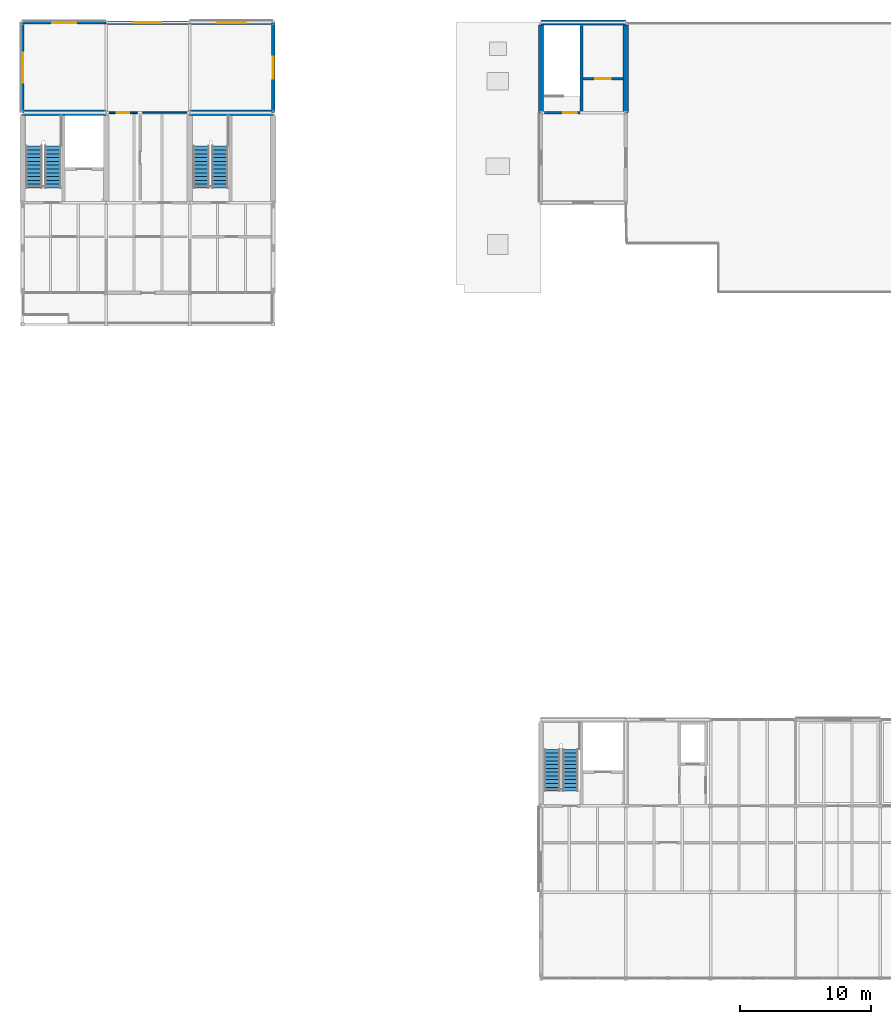
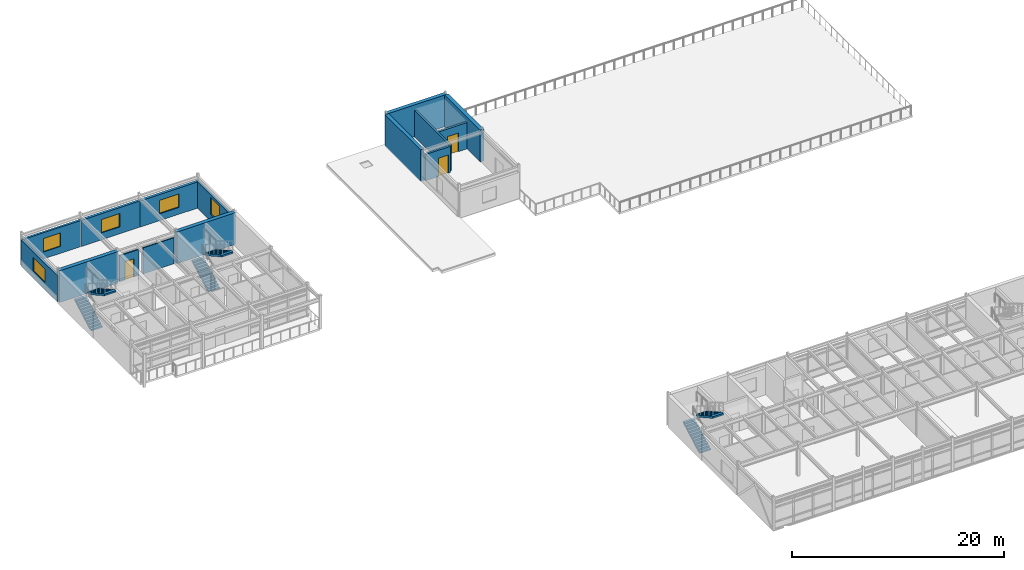
# One storey, part 21 of 26: 15 walls, 6 stair flights, 5 windows, 3 doors, 8 openings, 3 elements without a shape of their own.
"""IFC4 building model written with IfcOpenShell, lengths in metres."""

from ifc_helpers import new_model, si_unit, direction, frame, frame_2d, origin, place, context, subcontext, project, spatial, polyline, rectangle, outline, extrude, material, layer, layer_set, type_object, element, fill, aggregate, save


model = new_model("IFC4")

# Units and contexts
model_context = context("Model", 3, precision=1e-05, world=origin(), true_north=direction((0.0, 1.0)))
body_context = subcontext(model_context, "Body", "Model", "MODEL_VIEW")
ifc_project = project(units=[si_unit("LENGTHUNIT", "METRE"), si_unit("AREAUNIT", "SQUARE_METRE"), si_unit("VOLUMEUNIT", "CUBIC_METRE"), si_unit("PLANEANGLEUNIT", "RADIAN"), si_unit("MASSUNIT", "GRAM", prefix="KILO")], contexts=[model_context])

# Site, building, storey
site_placement = place(None, origin())
site = spatial("IfcSite", under=ifc_project, at=site_placement, CompositionType="ELEMENT")
building_placement = place(site_placement, origin())
building = spatial("IfcBuilding", under=site, at=building_placement, Name="Trelmorton Wharf Fire Station", CompositionType="ELEMENT")
storey_placement = place(building_placement, frame((0.0, 0.0, 17.39990234375)))
storey = spatial("IfcBuildingStorey", under=building, at=storey_placement, Name="L04", CompositionType="ELEMENT", Elevation=17.39990234375)

# Wall, opening, window
ifc_material_1 = material(Name="Precast concrete 45 MPa", Category="concrete")
ifc_layer_1 = layer(ifc_material_1, 0.22998046875)
ifc_layer_set_1 = layer_set([ifc_layer_1], Name="Precast concrete 45 MPa")
wall_type_1 = type_object("IfcWallType", Name="EW_PREC_230", PredefinedType="SOLIDWALL", material=ifc_layer_set_1)
wall_1_placement = place(storey_placement, frame((70.804931640625, 81.0, 0.0), z_axis=(0.0, 0.0, 1.0), x_axis=(1.0, 0.0, 0.0)))
wall_1 = element("IfcWall", 1, at=wall_1_placement, inside=storey, type_object=wall_type_1, Name="EW-V2-L04-0186", PredefinedType="SOLIDWALL", context=body_context, shape_type="SweptSolid", body=[
    extrude(rectangle(XDim=6.39013671875, YDim=0.22998046875, at=frame_2d((3.195068359375, 0.0))), origin(), (0.0, 0.0, 1.0), 3.02001953125),
])
opening_1_placement = place(wall_1_placement, frame((2.27001953125, 0.0, 0.800048828125)))
opening_1 = element("IfcOpeningElement", 2, at=opening_1_placement, cuts=wall_1, Name="Opening W41", PredefinedType="OPENING", context=body_context, shape_type="SweptSolid", body=[
    extrude(rectangle(XDim=1.85009765625, YDim=1.550048828125, at=frame_2d((0.925048828125, 0.77490234375))), frame((0.0, 0.125, 0.0), z_axis=(0.0, -1.0, 0.0), x_axis=(1.0, 0.0, 0.0)), (0.0, 0.0, 1.0), 0.25),
])
ifc_material_2 = material(Name="Tempered low-E double glazing", Category="glass")
window_type_1 = type_object("IfcWindowType", Name="WIN_W41", PartitioningType="DOUBLE_PANEL_VERTICAL", PredefinedType="WINDOW", material=ifc_material_2)
window_1_placement = place(opening_1_placement, origin())
window_1 = element("IfcWindow", 3, at=window_1_placement, inside=storey, type_object=window_type_1, Name="WN-V2-L04-0103", OverallHeight=1.550048828125, OverallWidth=1.85009765625, PartitioningType="DOUBLE_PANEL_VERTICAL", PredefinedType="WINDOW", context=body_context, shape_type="SweptSolid", body=[
    extrude(rectangle(XDim=1.85009765625, YDim=1.550048828125, at=frame_2d((0.925048828125, 0.77490234375))), frame((0.0, 0.030029296875, 0.0), z_axis=(0.0, -1.0, 0.0), x_axis=(1.0, 0.0, 0.0)), (0.0, 0.0, 1.0), 0.06005859375),
])
fill(opening_1, window_1)

wall_2_placement = place(storey_placement, frame((70.800048828125, 74.10498046875, 0.0), z_axis=(0.0, 0.0, 1.0), x_axis=(0.0, 1.0, 0.0)))
wall_2 = element("IfcWall", 4, at=wall_2_placement, inside=storey, type_object=wall_type_1, Name="EW-V2-L04-0192", PredefinedType="SOLIDWALL", context=body_context, shape_type="SweptSolid", body=[
    extrude(rectangle(XDim=6.89013671875, YDim=0.22998046875, at=frame_2d((3.445068359375, 0.0))), origin(), (0.0, 0.0, 1.0), 3.02001953125),
])
opening_2_placement = place(wall_2_placement, frame((2.294921875, 0.0, 0.800048828125)))
opening_2 = element("IfcOpeningElement", 5, at=opening_2_placement, cuts=wall_2, Name="Opening W44", PredefinedType="OPENING", context=body_context, shape_type="SweptSolid", body=[
    extrude(rectangle(XDim=2.300048828125, YDim=1.550048828125, at=frame_2d((1.14990234375, 0.77490234375))), frame((0.0, 0.125, 0.0), z_axis=(0.0, -1.0, 0.0), x_axis=(1.0, 0.0, 0.0)), (0.0, 0.0, 1.0), 0.25),
])
window_type_2 = type_object("IfcWindowType", Name="WIN_W44", PartitioningType="DOUBLE_PANEL_VERTICAL", PredefinedType="WINDOW", material=ifc_material_2)
window_2_placement = place(opening_2_placement, origin())
window_2 = element("IfcWindow", 6, at=window_2_placement, inside=storey, type_object=window_type_2, Name="WN-V2-L04-0106", OverallHeight=1.550048828125, OverallWidth=2.300048828125, PartitioningType="DOUBLE_PANEL_VERTICAL", PredefinedType="WINDOW", context=body_context, shape_type="SweptSolid", body=[
    extrude(rectangle(XDim=2.300048828125, YDim=1.550048828125, at=frame_2d((1.14990234375, 0.77490234375))), frame((0.0, 0.030029296875, 0.0), z_axis=(0.0, -1.0, 0.0), x_axis=(1.0, 0.0, 0.0)), (0.0, 0.0, 1.0), 0.06005859375),
])
fill(opening_2, window_2)

ifc_layer_2 = layer(ifc_material_1, 0.25)
ifc_layer_set_2 = layer_set([ifc_layer_2], Name="Precast concrete 45 MPa")
wall_type_2 = type_object("IfcWallType", Name="EW_PREC_250", PredefinedType="SOLIDWALL", material=ifc_layer_set_2)
wall_3_placement = place(storey_placement, frame((90.0, 80.9951171875, 0.0), z_axis=(0.0, 0.0, 1.0), x_axis=(0.0, -1.0, 0.0)))
wall_3 = element("IfcWall", 7, at=wall_3_placement, inside=storey, type_object=wall_type_2, Name="EW-V2-L04-0193", PredefinedType="SOLIDWALL", context=body_context, shape_type="SweptSolid", body=[
    extrude(rectangle(XDim=6.89013671875, YDim=0.25, at=frame_2d((3.445068359375, 0.0))), origin(), (0.0, 0.0, 1.0), 3.02001953125),
])
opening_3_placement = place(wall_3_placement, frame((2.594970703125, 0.0, 0.800048828125)))
opening_3 = element("IfcOpeningElement", 8, at=opening_3_placement, cuts=wall_3, Name="Opening W45", PredefinedType="OPENING", context=body_context, shape_type="SweptSolid", body=[
    extrude(rectangle(XDim=1.699951171875, YDim=1.949951171875, at=frame_2d((0.85009765625, 0.97509765625))), frame((0.0, 0.135009765625, 0.0), z_axis=(0.0, -1.0, 0.0), x_axis=(1.0, 0.0, 0.0)), (0.0, 0.0, 1.0), 0.27001953125),
])
window_type_3 = type_object("IfcWindowType", Name="WIN_W45", PartitioningType="DOUBLE_PANEL_VERTICAL", PredefinedType="WINDOW", material=ifc_material_2)
window_3_placement = place(opening_3_placement, origin())
window_3 = element("IfcWindow", 9, at=window_3_placement, inside=storey, type_object=window_type_3, Name="WN-V2-L04-0107", OverallHeight=1.949951171875, OverallWidth=1.699951171875, PartitioningType="DOUBLE_PANEL_VERTICAL", PredefinedType="WINDOW", context=body_context, shape_type="SweptSolid", body=[
    extrude(rectangle(XDim=1.699951171875, YDim=1.949951171875, at=frame_2d((0.85009765625, 0.97509765625))), frame((0.0, 0.030029296875, 0.0), z_axis=(0.0, -1.0, 0.0), x_axis=(1.0, 0.0, 0.0)), (0.0, 0.0, 1.0), 0.06005859375),
])
fill(opening_3, window_3)

ifc_layer_3 = layer(ifc_material_1, 0.27001953125)
ifc_layer_set_3 = layer_set([ifc_layer_3], Name="Precast concrete 45 MPa")
wall_type_3 = type_object("IfcWallType", Name="EW_PREC_270", PredefinedType="SOLIDWALL", material=ifc_layer_set_3)
wall_4_placement = place(storey_placement, frame((77.205078125, 81.0, 0.0), z_axis=(0.0, 0.0, 1.0), x_axis=(1.0, 0.0, 0.0)))
wall_4 = element("IfcWall", 10, at=wall_4_placement, inside=storey, type_object=wall_type_3, Name="EW-V2-L04-0188", PredefinedType="SOLIDWALL", context=body_context, shape_type="SweptSolid", body=[
    extrude(rectangle(XDim=6.389892578125, YDim=0.27001953125, at=frame_2d((3.19482421875, 0.0))), origin(), (0.0, 0.0, 1.0), 3.02001953125),
])
opening_4_placement = place(wall_4_placement, frame((2.195068359375, 0.0, 0.800048828125)))
opening_4 = element("IfcOpeningElement", 11, at=opening_4_placement, cuts=wall_4, Name="Opening W42", PredefinedType="OPENING", context=body_context, shape_type="SweptSolid", body=[
    extrude(rectangle(XDim=2.0, YDim=1.550048828125, at=frame_2d((1.0, 0.77490234375))), frame((0.0, 0.14501953125, 0.0), z_axis=(0.0, -1.0, 0.0), x_axis=(1.0, 0.0, 0.0)), (0.0, 0.0, 1.0), 0.2900390625),
])
window_type_4 = type_object("IfcWindowType", Name="WIN_W42", PartitioningType="DOUBLE_PANEL_VERTICAL", PredefinedType="WINDOW", material=ifc_material_2)
window_4_placement = place(opening_4_placement, origin())
window_4 = element("IfcWindow", 12, at=window_4_placement, inside=storey, type_object=window_type_4, Name="WN-V2-L04-0104", OverallHeight=1.550048828125, OverallWidth=2.0, PartitioningType="DOUBLE_PANEL_VERTICAL", PredefinedType="WINDOW", context=body_context, shape_type="SweptSolid", body=[
    extrude(rectangle(XDim=2.0, YDim=1.550048828125, at=frame_2d((1.0, 0.77490234375))), frame((0.0, 0.030029296875, 0.0), z_axis=(0.0, -1.0, 0.0), x_axis=(1.0, 0.0, 0.0)), (0.0, 0.0, 1.0), 0.06005859375),
])
fill(opening_4, window_4)

ifc_layer_4 = layer(ifc_material_1, 0.2900390625)
ifc_layer_set_4 = layer_set([ifc_layer_4], Name="Precast concrete 45 MPa")
wall_type_4 = type_object("IfcWallType", Name="EW_TERR_290", PredefinedType="SOLIDWALL", material=ifc_layer_set_4)
wall_5_placement = place(storey_placement, frame((83.60498046875, 81.0, 0.0), z_axis=(0.0, 0.0, 1.0), x_axis=(1.0, 0.0, 0.0)))
wall_5 = element("IfcWall", 13, at=wall_5_placement, inside=storey, type_object=wall_type_4, Name="EW-V2-L04-0189", PredefinedType="SOLIDWALL", context=body_context, shape_type="SweptSolid", body=[
    extrude(rectangle(XDim=6.39013671875, YDim=0.2900390625, at=frame_2d((3.195068359375, 0.0))), origin(), (0.0, 0.0, 1.0), 3.02001953125),
])
opening_5_placement = place(wall_5_placement, frame((2.1201171875, 0.0, 0.800048828125)))
opening_5 = element("IfcOpeningElement", 14, at=opening_5_placement, cuts=wall_5, Name="Opening W43", PredefinedType="OPENING", context=body_context, shape_type="SweptSolid", body=[
    extrude(rectangle(XDim=2.14990234375, YDim=1.550048828125, at=frame_2d((1.074951171875, 0.77490234375))), frame((0.0, 0.155029296875, 0.0), z_axis=(0.0, -1.0, 0.0), x_axis=(1.0, 0.0, 0.0)), (0.0, 0.0, 1.0), 0.31005859375),
])
window_type_5 = type_object("IfcWindowType", Name="WIN_W43", PartitioningType="DOUBLE_PANEL_VERTICAL", PredefinedType="WINDOW", material=ifc_material_2)
window_5_placement = place(opening_5_placement, origin())
window_5 = element("IfcWindow", 15, at=window_5_placement, inside=storey, type_object=window_type_5, Name="WN-V2-L04-0105", OverallHeight=1.550048828125, OverallWidth=2.14990234375, PartitioningType="DOUBLE_PANEL_VERTICAL", PredefinedType="WINDOW", context=body_context, shape_type="SweptSolid", body=[
    extrude(rectangle(XDim=2.14990234375, YDim=1.550048828125, at=frame_2d((1.074951171875, 0.77490234375))), frame((0.0, 0.030029296875, 0.0), z_axis=(0.0, -1.0, 0.0), x_axis=(1.0, 0.0, 0.0)), (0.0, 0.0, 1.0), 0.06005859375),
])
fill(opening_5, window_5)

# Wall
ifc_material_3 = material(Name="Concrete 40 MPa", Category="concrete")
ifc_layer_5 = layer(ifc_material_3, 0.219970703125)
ifc_layer_set_5 = layer_set([ifc_layer_5], Name="Concrete 40 MPa")
wall_type_5 = type_object("IfcWallType", Name="IW_CORE_220", PredefinedType="SOLIDWALL", material=ifc_layer_set_5)
wall_6_placement = place(storey_placement, frame((113.6201171875, 74.219970703125, 0.0), z_axis=(0.0, 0.0, 1.0), x_axis=(0.0, 1.0, 0.0)))
element("IfcWall", 16, at=wall_6_placement, inside=storey, type_object=wall_type_5, Name="IW-C7-DIV-L04", PredefinedType="SOLIDWALL", context=body_context, shape_type="SweptSolid", body=[
    extrude(rectangle(XDim=6.554931640625, YDim=0.219970703125, at=frame_2d((3.27734375, 0.0))), origin(), (0.0, 0.0, 1.0), 3.02001953125),
])

# Wall, opening, door
wall_7_placement = place(storey_placement, frame((110.760009765625, 74.10009765625, 0.0), z_axis=(0.0, 0.0, 1.0), x_axis=(1.0, 0.0, 0.0)))
wall_7 = element("IfcWall", 17, at=wall_7_placement, inside=storey, type_object=wall_type_5, Name="IW-C7-SF-L04", PredefinedType="SOLIDWALL", context=body_context, shape_type="SweptSolid", body=[
    extrude(rectangle(XDim=2.739990234375, YDim=0.219970703125, at=frame_2d((1.3701171875, 0.0))), origin(), (0.0, 0.0, 1.0), 3.02001953125),
])
opening_6_placement = place(wall_7_placement, frame((1.43994140625, 0.0, 0.0)))
opening_6 = element("IfcOpeningElement", 18, at=opening_6_placement, cuts=wall_7, Name="Opening FD-046", PredefinedType="OPENING", context=body_context, shape_type="SweptSolid", body=[
    extrude(rectangle(XDim=1.06005859375, YDim=2.10009765625, at=frame_2d((0.530029296875, 1.050048828125))), frame((0.0, 0.1201171875, 0.0), z_axis=(0.0, -1.0, 0.0), x_axis=(1.0, 0.0, 0.0)), (0.0, 0.0, 1.0), 0.239990234375),
])
ifc_material_4 = material(Name="Stainless steel 316 marine grade", Category="steel")
door_type_1 = type_object("IfcDoorType", Name="DR_FIRE_106", OperationType="NOTDEFINED", PredefinedType="DOOR", material=ifc_material_4)
door_1_placement = place(opening_6_placement, origin())
door_1 = element("IfcDoor", 19, at=door_1_placement, inside=storey, type_object=door_type_1, Name="Stair Fire Door FD-046", OperationType="SINGLE_SWING_RIGHT", OverallHeight=2.10009765625, OverallWidth=1.06005859375, PredefinedType="DOOR", context=body_context, shape_type="SweptSolid", body=[
    extrude(rectangle(XDim=1.06005859375, YDim=2.10009765625, at=frame_2d((0.530029296875, 1.050048828125))), frame((0.0, 0.02490234375, 0.0), z_axis=(0.0, -1.0, 0.0), x_axis=(1.0, 0.0, 0.0)), (0.0, 0.0, 1.0), 0.050048828125),
])
fill(opening_6, door_1)

wall_8_placement = place(storey_placement, frame((113.739990234375, 76.699951171875, 0.0), z_axis=(0.0, 0.0, 1.0), x_axis=(1.0, 0.0, 0.0)))
wall_8 = element("IfcWall", 20, at=wall_8_placement, inside=storey, type_object=wall_type_5, Name="IW-C7-LSH-L04", PredefinedType="SOLIDWALL", context=body_context, shape_type="SweptSolid", body=[
    extrude(rectangle(XDim=3.034912109375, YDim=0.219970703125, at=frame_2d((1.517578125, 0.0))), origin(), (0.0, 0.0, 1.0), 3.02001953125),
])
opening_7_placement = place(wall_8_placement, frame((0.91748046875, 0.0, 0.0)))
opening_7 = element("IfcOpeningElement", 21, at=opening_7_placement, cuts=wall_8, Name="Opening LD-037", PredefinedType="OPENING", context=body_context, shape_type="SweptSolid", body=[
    extrude(rectangle(XDim=1.199951171875, YDim=2.14990234375, at=frame_2d((0.60009765625, 1.074951171875))), frame((0.0, 0.1201171875, 0.0), z_axis=(0.0, -1.0, 0.0), x_axis=(1.0, 0.0, 0.0)), (0.0, 0.0, 1.0), 0.239990234375),
])
door_type_2 = type_object("IfcDoorType", Name="DR_LIFT_120", OperationType="DOUBLE_DOOR_SLIDING", PredefinedType="DOOR", material=ifc_material_4)
door_2_placement = place(opening_7_placement, origin())
door_2 = element("IfcDoor", 22, at=door_2_placement, inside=storey, type_object=door_type_2, Name="Lift Landing Door LD-037", OperationType="DOUBLE_DOOR_SLIDING", OverallHeight=2.14990234375, OverallWidth=1.199951171875, PredefinedType="DOOR", context=body_context, shape_type="SweptSolid", body=[
    extrude(rectangle(XDim=1.199951171875, YDim=2.14990234375, at=frame_2d((0.60009765625, 1.074951171875))), frame((0.0, 0.02490234375, 0.0), z_axis=(0.0, -1.0, 0.0), x_axis=(1.0, 0.0, 0.0)), (0.0, 0.0, 1.0), 0.050048828125),
])
fill(opening_7, door_2)

ifc_material_5 = material(Name="Gypsum plasterboard partition")
ifc_layer_6 = layer(ifc_material_5, 0.1298828125)
ifc_layer_set_6 = layer_set([ifc_layer_6], Name="Gypsum plasterboard partition")
wall_type_6 = type_object("IfcWallType", Name="IW_PART_130", PredefinedType="PARTITIONING", material=ifc_layer_set_6)
wall_9_placement = place(storey_placement, frame((77.419921875, 74.10009765625, 0.0), z_axis=(0.0, 0.0, 1.0), x_axis=(1.0, 0.0, 0.0)))
wall_9 = element("IfcWall", 23, at=wall_9_placement, inside=storey, type_object=wall_type_6, Name="IW-L04-0242", PredefinedType="PARTITIONING", context=body_context, shape_type="SweptSolid", body=[
    extrude(rectangle(XDim=2.16015625, YDim=0.1298828125, at=frame_2d((1.080078125, 0.0))), origin(), (0.0, 0.0, 1.0), 3.0),
])
opening_8_placement = place(wall_9_placement, frame((0.594970703125, 0.0, 0.0)))
opening_8 = element("IfcOpeningElement", 24, at=opening_8_placement, cuts=wall_9, Name="Opening D-164", PredefinedType="OPENING", context=body_context, shape_type="SweptSolid", body=[
    extrude(rectangle(XDim=0.969970703125, YDim=2.10009765625, at=frame_2d((0.48486328125, 1.050048828125))), frame((0.0, 0.074951171875, 0.0), z_axis=(0.0, -1.0, 0.0), x_axis=(1.0, 0.0, 0.0)), (0.0, 0.0, 1.0), 0.14990234375),
])
ifc_material_6 = material(Name="Acoustic timber panelling", Category="wood")
door_type_3 = type_object("IfcDoorType", Name="DR_INT_097", OperationType="NOTDEFINED", PredefinedType="DOOR", material=ifc_material_6)
door_3_placement = place(opening_8_placement, origin())
door_3 = element("IfcDoor", 25, at=door_3_placement, inside=storey, type_object=door_type_3, Name="Interior Door D-164", OperationType="SINGLE_SWING_RIGHT", OverallHeight=2.10009765625, OverallWidth=0.969970703125, PredefinedType="DOOR", context=body_context, shape_type="SweptSolid", body=[
    extrude(rectangle(XDim=0.969970703125, YDim=2.10009765625, at=frame_2d((0.48486328125, 1.050048828125))), frame((0.0, 0.02490234375, 0.0), z_axis=(0.0, -1.0, 0.0), x_axis=(1.0, 0.0, 0.0)), (0.0, 0.0, 1.0), 0.050048828125),
])
fill(opening_8, door_3)

# Walls
ifc_layer_7 = layer(ifc_material_5, 0.1201171875)
ifc_layer_set_7 = layer_set([ifc_layer_7], Name="Gypsum plasterboard partition")
wall_type_7 = type_object("IfcWallType", Name="IW_WET_120", PredefinedType="PARTITIONING", material=ifc_layer_set_7)
wall_10_placement = place(storey_placement, frame((80.02001953125, 74.10009765625, 0.0), z_axis=(0.0, 0.0, 1.0), x_axis=(1.0, 0.0, 0.0)))
element("IfcWall", 26, at=wall_10_placement, inside=storey, type_object=wall_type_7, Name="IW-L04-0243", PredefinedType="PARTITIONING", context=body_context, shape_type="SweptSolid", body=[
    extrude(rectangle(XDim=3.35986328125, YDim=0.1201171875, at=frame_2d((1.679931640625, 0.0))), origin(), (0.0, 0.0, 1.0), 3.0),
])
ifc_material_7 = material(Name="Concrete 50 MPa", Category="concrete")
ifc_layer_8 = layer(ifc_material_7, 0.39990234375)
ifc_layer_set_8 = layer_set([ifc_layer_8], Name="Concrete 50 MPa")
wall_type_8 = type_object("IfcWallType", Name="WL_CORE_400", PredefinedType="SHEAR", material=ifc_layer_set_8)
for number, where, z_axis, x_axis, name in (
    (27, (70.800048828125, 74.10009765625, 0.0), (0.0, 0.0, 1.0), (1.0, 0.0, 0.0), "WL-SW-C6-L04-094"),
    (28, (83.60009765625, 74.10009765625, 0.0), (0.0, 0.0, 1.0), (1.0, 0.0, 0.0), "WL-SW-C6B-L04-115"),
):
    element("IfcWall", number, at=place(storey_placement, frame(where, z_axis=z_axis, x_axis=x_axis)), inside=storey, type_object=wall_type_8, Name=name, PredefinedType="SHEAR", context=body_context, shape_type="SweptSolid", body=[
        extrude(rectangle(XDim=6.39990234375, YDim=0.39990234375, at=frame_2d((3.199951171875, 0.0))), origin(), (0.0, 0.0, 1.0), 3.66015625),
    ])
wall_11_placement = place(storey_placement, frame((110.5, 81.0, 0.0), z_axis=(0.0, 0.0, 1.0), x_axis=(1.0, 0.0, 0.0)))
element("IfcWall", 29, at=wall_11_placement, inside=storey, type_object=wall_type_8, Name="WL-SW-C7-L04-136", PredefinedType="SHEAR", context=body_context, shape_type="SweptSolid", body=[
    extrude(rectangle(XDim=6.5, YDim=0.39990234375, at=frame_2d((3.25, 0.0))), origin(), (0.0, 0.0, 1.0), 3.66015625),
])
for number, where, z_axis, x_axis, name in (
    (30, (110.5, 74.10009765625, 0.0), (0.0, 0.0, 1.0), (0.0, 1.0, 0.0), "WL-SW-C7-L04-137"),
    (31, (117.0, 74.10009765625, 0.0), (0.0, 0.0, 1.0), (0.0, 1.0, 0.0), "WL-SW-C7-L04-138"),
):
    element("IfcWall", number, at=place(storey_placement, frame(where, z_axis=z_axis, x_axis=x_axis)), inside=storey, type_object=wall_type_8, Name=name, PredefinedType="SHEAR", context=body_context, shape_type="SweptSolid", body=[
        extrude(rectangle(XDim=6.699951171875, YDim=0.39990234375, at=frame_2d((3.35009765625, 0.0))), origin(), (0.0, 0.0, 1.0), 3.66015625),
    ])

# Stair, stair flights
stair_type_1 = type_object("IfcStairType", Name="ST_DOG_390", PredefinedType="HALF_TURN_STAIR", material=ifc_material_1)
stair_1_placement = place(storey_placement, origin())
stair_1 = element("IfcStair", 32, at=stair_1_placement, inside=storey, type_object=stair_type_1, Name="Escape Stair ST4-L04", PredefinedType="HALF_TURN_STAIR")
ifc_layer_9 = layer(ifc_material_1, 0.139892578125)
ifc_layer_set_9 = layer_set([ifc_layer_9], Name="Precast concrete 45 MPa")
stair_flight_type_1 = type_object("IfcStairFlightType", Name="SF_PRE_120", PredefinedType="STRAIGHT", material=ifc_layer_set_9)
stair_flight_1_placement = place(storey_placement, frame((111.360107421875, 22.139892578125, 0.0), z_axis=(0.0, 0.0, 1.0), x_axis=(0.0, 1.0, 0.0)))
stair_flight_1 = element("IfcStairFlight", 33, at=stair_flight_1_placement, type_object=stair_flight_type_1, Name="ST4-L04 flight 1", NumberOfRisers=12, NumberOfTreads=11, PredefinedType="STRAIGHT", RiserHeight=0.1625, TreadLength=0.29, context=body_context, shape_type="SweptSolid", body=[
    extrude(outline(polyline([(0.0, 0.0), (0.0, 0.16259765625), (0.2900390625, 0.16259765625), (0.2900390625, 0.324951171875), (0.580078125, 0.324951171875), (0.580078125, 0.487548828125), (0.8701171875, 0.487548828125), (0.8701171875, 0.64990234375), (1.159912109375, 0.64990234375), (1.159912109375, 0.8125), (1.449951171875, 0.8125), (1.449951171875, 0.97509765625), (1.739990234375, 0.97509765625), (1.739990234375, 1.137451171875), (2.030029296875, 1.137451171875), (2.030029296875, 1.300048828125), (2.320068359375, 1.300048828125), (2.320068359375, 1.46240234375), (2.610107421875, 1.46240234375), (2.610107421875, 1.625), (2.89990234375, 1.625), (2.89990234375, 1.78759765625), (3.18994140625, 1.78759765625), (3.18994140625, 1.949951171875), (3.18994140625, 1.604248046875), (0.3271484375, 0.0), (0.0, 0.0)])), frame((0.0, 0.60009765625, 0.0), z_axis=(0.0, -1.0, 0.0), x_axis=(1.0, 0.0, 0.0)), (0.0, 0.0, 1.0), 1.199951171875),
])
stair_flight_2_placement = place(storey_placement, frame((112.760009765625, 25.330078125, 1.9501953125), z_axis=(0.0, 0.0, 1.0), x_axis=(0.0, -1.0, 0.0)))
stair_flight_2 = element("IfcStairFlight", 34, at=stair_flight_2_placement, type_object=stair_flight_type_1, Name="ST4-L04 flight 2", NumberOfRisers=12, NumberOfTreads=11, PredefinedType="STRAIGHT", RiserHeight=0.1625, TreadLength=0.29, context=body_context, shape_type="SweptSolid", body=[
    extrude(outline(polyline([(0.0, 0.0), (0.0, 0.16259765625), (0.2900390625, 0.16259765625), (0.2900390625, 0.324951171875), (0.580078125, 0.324951171875), (0.580078125, 0.487548828125), (0.8701171875, 0.487548828125), (0.8701171875, 0.64990234375), (1.159912109375, 0.64990234375), (1.159912109375, 0.8125), (1.449951171875, 0.8125), (1.449951171875, 0.97509765625), (1.739990234375, 0.97509765625), (1.739990234375, 1.137451171875), (2.030029296875, 1.137451171875), (2.030029296875, 1.300048828125), (2.320068359375, 1.300048828125), (2.320068359375, 1.46240234375), (2.610107421875, 1.46240234375), (2.610107421875, 1.625), (2.89990234375, 1.625), (2.89990234375, 1.78759765625), (3.18994140625, 1.78759765625), (3.18994140625, 1.949951171875), (3.18994140625, 1.604248046875), (0.3271484375, 0.0), (0.0, 0.0)])), frame((0.0, 0.60009765625, 0.0), z_axis=(0.0, -1.0, 0.0), x_axis=(1.0, 0.0, 0.0)), (0.0, 0.0, 1.0), 1.199951171875),
])
aggregate(stair_1, [stair_flight_1, stair_flight_2])

stair_type_2 = type_object("IfcStairType", Name="ST_TWO_390", PredefinedType="TWO_STRAIGHT_RUN_STAIR", material=ifc_material_1)
stair_2_placement = place(storey_placement, origin())
stair_2 = element("IfcStair", 35, at=stair_2_placement, inside=storey, type_object=stair_type_2, Name="Escape Stair ST8-L04", PredefinedType="TWO_STRAIGHT_RUN_STAIR")
ifc_layer_10 = layer(ifc_material_1, 0.159912109375)
ifc_layer_set_10 = layer_set([ifc_layer_10], Name="Precast concrete 45 MPa")
stair_flight_type_2 = type_object("IfcStairFlightType", Name="SF_PRE_124", PredefinedType="STRAIGHT", material=ifc_layer_set_10)
stair_flight_3_placement = place(storey_placement, frame((71.679931640625, 68.340087890625, 0.0), z_axis=(0.0, 0.0, 1.0), x_axis=(0.0, 1.0, 0.0)))
stair_flight_3 = element("IfcStairFlight", 36, at=stair_flight_3_placement, type_object=stair_flight_type_2, Name="ST8-L04 flight 1", NumberOfRisers=12, NumberOfTreads=11, PredefinedType="STRAIGHT", RiserHeight=0.1625, TreadLength=0.29, context=body_context, shape_type="SweptSolid", body=[
    extrude(outline(polyline([(0.0, 0.0), (0.0, 0.16259765625), (0.2900390625, 0.16259765625), (0.2900390625, 0.324951171875), (0.580078125, 0.324951171875), (0.580078125, 0.487548828125), (0.8701171875, 0.487548828125), (0.8701171875, 0.64990234375), (1.159912109375, 0.64990234375), (1.159912109375, 0.8125), (1.449951171875, 0.8125), (1.449951171875, 0.97509765625), (1.739990234375, 0.97509765625), (1.739990234375, 1.137451171875), (2.030029296875, 1.137451171875), (2.030029296875, 1.300048828125), (2.320068359375, 1.300048828125), (2.320068359375, 1.46240234375), (2.610107421875, 1.46240234375), (2.610107421875, 1.625), (2.89990234375, 1.625), (2.89990234375, 1.78759765625), (3.18994140625, 1.78759765625), (3.18994140625, 1.949951171875), (3.18994140625, 1.604248046875), (0.3271484375, 0.0), (0.0, 0.0)])), frame((0.0, 0.6201171875, 0.0), z_axis=(0.0, -1.0, 0.0), x_axis=(1.0, 0.0, 0.0)), (0.0, 0.0, 1.0), 1.239990234375),
])
stair_flight_4_placement = place(storey_placement, frame((73.1201171875, 71.530029296875, 1.9501953125), z_axis=(0.0, 0.0, 1.0), x_axis=(0.0, -1.0, 0.0)))
stair_flight_4 = element("IfcStairFlight", 37, at=stair_flight_4_placement, type_object=stair_flight_type_2, Name="ST8-L04 flight 2", NumberOfRisers=12, NumberOfTreads=11, PredefinedType="STRAIGHT", RiserHeight=0.1625, TreadLength=0.29, context=body_context, shape_type="SweptSolid", body=[
    extrude(outline(polyline([(0.0, 0.0), (0.0, 0.16259765625), (0.2900390625, 0.16259765625), (0.2900390625, 0.324951171875), (0.580078125, 0.324951171875), (0.580078125, 0.487548828125), (0.8701171875, 0.487548828125), (0.8701171875, 0.64990234375), (1.159912109375, 0.64990234375), (1.159912109375, 0.8125), (1.449951171875, 0.8125), (1.449951171875, 0.97509765625), (1.739990234375, 0.97509765625), (1.739990234375, 1.137451171875), (2.030029296875, 1.137451171875), (2.030029296875, 1.300048828125), (2.320068359375, 1.300048828125), (2.320068359375, 1.46240234375), (2.610107421875, 1.46240234375), (2.610107421875, 1.625), (2.89990234375, 1.625), (2.89990234375, 1.78759765625), (3.18994140625, 1.78759765625), (3.18994140625, 1.949951171875), (3.18994140625, 1.604248046875), (0.3271484375, 0.0), (0.0, 0.0)])), frame((0.0, 0.6201171875, 0.0), z_axis=(0.0, -1.0, 0.0), x_axis=(1.0, 0.0, 0.0)), (0.0, 0.0, 1.0), 1.239990234375),
])
aggregate(stair_2, [stair_flight_3, stair_flight_4])

stair_3_placement = place(storey_placement, origin())
stair_3 = element("IfcStair", 38, at=stair_3_placement, inside=storey, type_object=stair_type_2, Name="Escape Stair ST9-L04", PredefinedType="TWO_STRAIGHT_RUN_STAIR")
stair_flight_5_placement = place(storey_placement, frame((84.47998046875, 68.340087890625, 0.0), z_axis=(0.0, 0.0, 1.0), x_axis=(0.0, 1.0, 0.0)))
stair_flight_5 = element("IfcStairFlight", 39, at=stair_flight_5_placement, type_object=stair_flight_type_2, Name="ST9-L04 flight 1", NumberOfRisers=12, NumberOfTreads=11, PredefinedType="STRAIGHT", RiserHeight=0.1625, TreadLength=0.29, context=body_context, shape_type="SweptSolid", body=[
    extrude(outline(polyline([(0.0, 0.0), (0.0, 0.16259765625), (0.2900390625, 0.16259765625), (0.2900390625, 0.324951171875), (0.580078125, 0.324951171875), (0.580078125, 0.487548828125), (0.8701171875, 0.487548828125), (0.8701171875, 0.64990234375), (1.159912109375, 0.64990234375), (1.159912109375, 0.8125), (1.449951171875, 0.8125), (1.449951171875, 0.97509765625), (1.739990234375, 0.97509765625), (1.739990234375, 1.137451171875), (2.030029296875, 1.137451171875), (2.030029296875, 1.300048828125), (2.320068359375, 1.300048828125), (2.320068359375, 1.46240234375), (2.610107421875, 1.46240234375), (2.610107421875, 1.625), (2.89990234375, 1.625), (2.89990234375, 1.78759765625), (3.18994140625, 1.78759765625), (3.18994140625, 1.949951171875), (3.18994140625, 1.604248046875), (0.3271484375, 0.0), (0.0, 0.0)])), frame((0.0, 0.6201171875, 0.0), z_axis=(0.0, -1.0, 0.0), x_axis=(1.0, 0.0, 0.0)), (0.0, 0.0, 1.0), 1.239990234375),
])
stair_flight_6_placement = place(storey_placement, frame((85.919921875, 71.530029296875, 1.9501953125), z_axis=(0.0, 0.0, 1.0), x_axis=(0.0, -1.0, 0.0)))
stair_flight_6 = element("IfcStairFlight", 40, at=stair_flight_6_placement, type_object=stair_flight_type_2, Name="ST9-L04 flight 2", NumberOfRisers=12, NumberOfTreads=11, PredefinedType="STRAIGHT", RiserHeight=0.1625, TreadLength=0.29, context=body_context, shape_type="SweptSolid", body=[
    extrude(outline(polyline([(0.0, 0.0), (0.0, 0.16259765625), (0.2900390625, 0.16259765625), (0.2900390625, 0.324951171875), (0.580078125, 0.324951171875), (0.580078125, 0.487548828125), (0.8701171875, 0.487548828125), (0.8701171875, 0.64990234375), (1.159912109375, 0.64990234375), (1.159912109375, 0.8125), (1.449951171875, 0.8125), (1.449951171875, 0.97509765625), (1.739990234375, 0.97509765625), (1.739990234375, 1.137451171875), (2.030029296875, 1.137451171875), (2.030029296875, 1.300048828125), (2.320068359375, 1.300048828125), (2.320068359375, 1.46240234375), (2.610107421875, 1.46240234375), (2.610107421875, 1.625), (2.89990234375, 1.625), (2.89990234375, 1.78759765625), (3.18994140625, 1.78759765625), (3.18994140625, 1.949951171875), (3.18994140625, 1.604248046875), (0.3271484375, 0.0), (0.0, 0.0)])), frame((0.0, 0.6201171875, 0.0), z_axis=(0.0, -1.0, 0.0), x_axis=(1.0, 0.0, 0.0)), (0.0, 0.0, 1.0), 1.239990234375),
])
aggregate(stair_3, [stair_flight_5, stair_flight_6])

save(model, "model.ifc")
